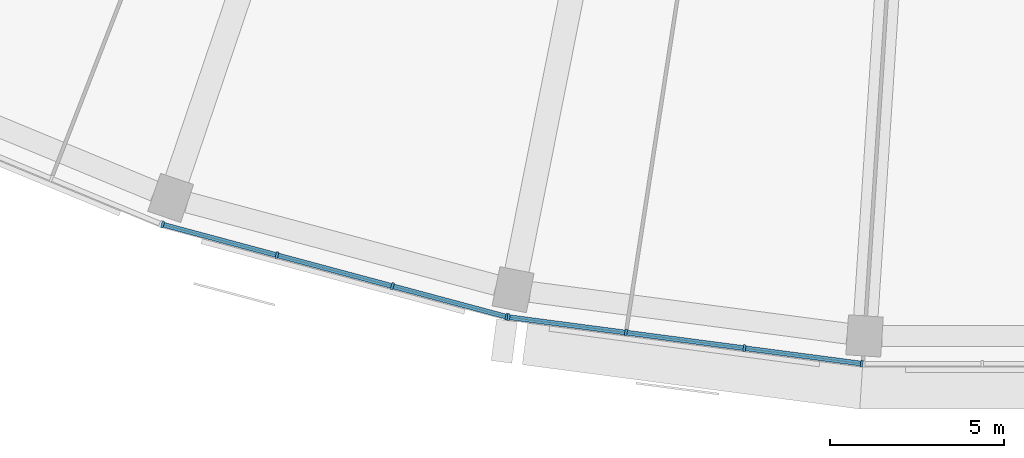
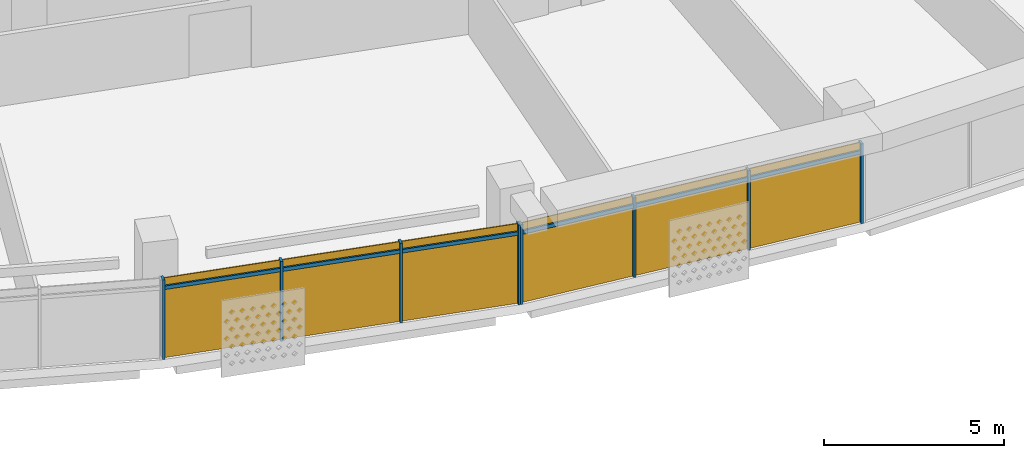
# One storey, part 18 of 29: 14 members, 2 curtain walls.
"""IFC4 building model written with IfcOpenShell, lengths in metres."""

from ifc_helpers import new_model, si_unit, direction, frame, origin, origin_2d, place, context, subcontext, project, spatial, rectangle, extrude, material, material_profile, profile_set, type_object, element, aggregate, save


model = new_model("IFC4")

# Units and contexts
model_context = context("Model", 3, precision=1e-05, world=origin(), true_north=direction((0.0, 1.0)))
body_context = subcontext(model_context, "Body", "Model", "MODEL_VIEW")
ifc_project = project(units=[si_unit("LENGTHUNIT", "METRE"), si_unit("AREAUNIT", "SQUARE_METRE"), si_unit("VOLUMEUNIT", "CUBIC_METRE"), si_unit("PLANEANGLEUNIT", "RADIAN"), si_unit("MASSUNIT", "GRAM", prefix="KILO")], contexts=[model_context])

# Member
ifc_material = material(Name="Aluminium 6063-T6 anodised", Category="aluminium")
ifc_material_profile_1 = material_profile(ifc_material, rectangle(XDim=0.199951171875, YDim=0.070068359375, at=origin_2d()))
ifc_profile_set_1 = profile_set([ifc_material_profile_1], Name="Aluminium 6063-T6 anodised")
member_type_1 = type_object("IfcMemberType", Name="Mullion 70 x 200 aluminium", PredefinedType="MULLION", material=ifc_profile_set_1)
site_placement = place(None, origin())
building_placement = place(site_placement, origin())
storey_placement = place(building_placement, frame((0.0, 0.0, 207.5)))
member_1_placement = place(storey_placement, frame((-25.221435546875, -74.388427734375, 0.0), z_axis=(0.0, 0.0, 1.0), x_axis=(0.258819045103, 0.965925826289, 0.0)))
member_1 = element("IfcMember", 1, at=member_1_placement, type_object=member_type_1, Name="e-cw1-L49-out06/M00", PredefinedType="MULLION", context=body_context, shape_type="SweptSolid", body=[
    extrude(rectangle(XDim=0.199951171875, YDim=0.070068359375, at=origin_2d()), origin(), (0.0, 0.0, 1.0), 2.699951171875),
])

member_2_placement = place(storey_placement, frame((-21.94287109375, -75.26708984375, 0.0), z_axis=(0.0, 0.0, 1.0), x_axis=(0.258819045103, 0.965925826289, 0.0)))
member_2 = element("IfcMember", 2, at=member_2_placement, type_object=member_type_1, Name="e-cw1-L49-out06/M01", PredefinedType="MULLION", context=body_context, shape_type="SweptSolid", body=[
    extrude(rectangle(XDim=0.199951171875, YDim=0.070068359375, at=origin_2d()), origin(), (0.0, 0.0, 1.0), 2.699951171875),
])

member_3_placement = place(storey_placement, frame((-18.63037109375, -76.154541015625, 0.0), z_axis=(0.0, 0.0, 1.0), x_axis=(0.258819045103, 0.965925826289, 0.0)))
member_3 = element("IfcMember", 3, at=member_3_placement, type_object=member_type_1, Name="e-cw1-L49-out06/M02", PredefinedType="MULLION", context=body_context, shape_type="SweptSolid", body=[
    extrude(rectangle(XDim=0.199951171875, YDim=0.070068359375, at=origin_2d()), origin(), (0.0, 0.0, 1.0), 2.699951171875),
])

member_4_placement = place(storey_placement, frame((-15.351806640625, -77.033203125, 0.0), z_axis=(0.0, 0.0, 1.0), x_axis=(0.258819045103, 0.965925826289, 0.0)))
member_4 = element("IfcMember", 4, at=member_4_placement, type_object=member_type_1, Name="e-cw1-L49-out06/M03", PredefinedType="MULLION", context=body_context, shape_type="SweptSolid", body=[
    extrude(rectangle(XDim=0.199951171875, YDim=0.070068359375, at=origin_2d()), origin(), (0.0, 0.0, 1.0), 2.699951171875),
])

member_5_placement = place(storey_placement, frame((-15.296142578125, -77.044189453125, 0.0), z_axis=(0.0, 0.0, 1.0), x_axis=(0.13052619222, 0.991444861374, 0.0)))
member_5 = element("IfcMember", 5, at=member_5_placement, type_object=member_type_1, Name="e-cw1-L49-out07/M00", PredefinedType="MULLION", context=body_context, shape_type="SweptSolid", body=[
    extrude(rectangle(XDim=0.199951171875, YDim=0.070068359375, at=origin_2d()), origin(), (0.0, 0.0, 1.0), 2.699951171875),
])

member_6_placement = place(storey_placement, frame((-11.930908203125, -77.4873046875, 0.0), z_axis=(0.0, 0.0, 1.0), x_axis=(0.13052619222, 0.991444861374, 0.0)))
member_6 = element("IfcMember", 6, at=member_6_placement, type_object=member_type_1, Name="e-cw1-L49-out07/M01", PredefinedType="MULLION", context=body_context, shape_type="SweptSolid", body=[
    extrude(rectangle(XDim=0.199951171875, YDim=0.070068359375, at=origin_2d()), origin(), (0.0, 0.0, 1.0), 2.699951171875),
])

member_7_placement = place(storey_placement, frame((-8.53076171875, -77.934814453125, 0.0), z_axis=(0.0, 0.0, 1.0), x_axis=(0.13052619222, 0.991444861374, 0.0)))
member_7 = element("IfcMember", 7, at=member_7_placement, type_object=member_type_1, Name="e-cw1-L49-out07/M02", PredefinedType="MULLION", context=body_context, shape_type="SweptSolid", body=[
    extrude(rectangle(XDim=0.199951171875, YDim=0.070068359375, at=origin_2d()), origin(), (0.0, 0.0, 1.0), 2.699951171875),
])

member_8_placement = place(storey_placement, frame((-5.16552734375, -78.3779296875, 0.0), z_axis=(0.0, 0.0, 1.0), x_axis=(0.13052619222, 0.991444861374, 0.0)))
member_8 = element("IfcMember", 8, at=member_8_placement, type_object=member_type_1, Name="e-cw1-L49-out07/M03", PredefinedType="MULLION", context=body_context, shape_type="SweptSolid", body=[
    extrude(rectangle(XDim=0.199951171875, YDim=0.070068359375, at=origin_2d()), origin(), (0.0, 0.0, 1.0), 2.699951171875),
])

ifc_material_profile_2 = material_profile(ifc_material, rectangle(XDim=0.139892578125, YDim=0.1201171875, at=origin_2d()))
ifc_profile_set_2 = profile_set([ifc_material_profile_2], Name="Aluminium 6063-T6 anodised")
member_type_2 = type_object("IfcMemberType", Name="Transom 120 x 140 aluminium", PredefinedType="USERDEFINED", material=ifc_profile_set_2)
member_9_placement = place(storey_placement, frame((-25.187744140625, -74.3974609375, 2.39990234375), z_axis=(0.965908708139, -0.25888292246, 0.0), x_axis=(0.25888292246, 0.965908708139, 0.0)))
member_9 = element("IfcMember", 9, at=member_9_placement, type_object=member_type_2, Name="e-cw1-L49-out06/T00", ObjectType="TRANSOM", PredefinedType="USERDEFINED", context=body_context, shape_type="SweptSolid", body=[
    extrude(rectangle(XDim=0.139892578125, YDim=0.1201171875, at=origin_2d()), origin(), (0.0, 0.0, 1.0), 3.32421875),
])

member_10_placement = place(storey_placement, frame((-21.9091796875, -75.276123046875, 2.39990234375), z_axis=(0.965931507774, -0.258797840582, 0.0), x_axis=(0.258797840582, 0.965931507774, 0.0)))
member_10 = element("IfcMember", 10, at=member_10_placement, type_object=member_type_2, Name="e-cw1-L49-out06/T01", ObjectType="TRANSOM", PredefinedType="USERDEFINED", context=body_context, shape_type="SweptSolid", body=[
    extrude(rectangle(XDim=0.139892578125, YDim=0.1201171875, at=origin_2d()), origin(), (0.0, 0.0, 1.0), 3.359375),
])

member_11_placement = place(storey_placement, frame((-18.5966796875, -76.16357421875, 2.39990234375), z_axis=(0.965913629723, -0.258864559019, 0.0), x_axis=(0.258864559019, 0.965913629723, 0.0)))
member_11 = element("IfcMember", 11, at=member_11_placement, type_object=member_type_2, Name="e-cw1-L49-out06/T02", ObjectType="TRANSOM", PredefinedType="USERDEFINED", context=body_context, shape_type="SweptSolid", body=[
    extrude(rectangle(XDim=0.139892578125, YDim=0.1201171875, at=origin_2d()), origin(), (0.0, 0.0, 1.0), 3.324462890625),
])

member_12_placement = place(storey_placement, frame((-15.261474609375, -77.048828125, 2.39990234375), z_axis=(0.991447795146, -0.130503906072, 0.0), x_axis=(0.130503906072, 0.991447795146, 0.0)))
member_12 = element("IfcMember", 12, at=member_12_placement, type_object=member_type_2, Name="e-cw1-L49-out07/T00", ObjectType="TRANSOM", PredefinedType="USERDEFINED", context=body_context, shape_type="SweptSolid", body=[
    extrude(rectangle(XDim=0.139892578125, YDim=0.1201171875, at=origin_2d()), origin(), (0.0, 0.0, 1.0), 3.32421875),
])

member_13_placement = place(storey_placement, frame((-11.896240234375, -77.49169921875, 2.39990234375), z_axis=(0.991444893088, -0.130525951326, 0.0), x_axis=(0.130525951326, 0.991444893088, 0.0)))
member_13 = element("IfcMember", 13, at=member_13_placement, type_object=member_type_2, Name="e-cw1-L49-out07/T01", ObjectType="TRANSOM", PredefinedType="USERDEFINED", context=body_context, shape_type="SweptSolid", body=[
    extrude(rectangle(XDim=0.139892578125, YDim=0.1201171875, at=origin_2d()), origin(), (0.0, 0.0, 1.0), 3.359375),
])

member_14_placement = place(storey_placement, frame((-8.49609375, -77.939453125, 2.39990234375), z_axis=(0.991447795146, -0.130503906072, 0.0), x_axis=(0.130503906072, 0.991447795146, 0.0)))
member_14 = element("IfcMember", 14, at=member_14_placement, type_object=member_type_2, Name="e-cw1-L49-out07/T02", ObjectType="TRANSOM", PredefinedType="USERDEFINED", context=body_context, shape_type="SweptSolid", body=[
    extrude(rectangle(XDim=0.139892578125, YDim=0.1201171875, at=origin_2d()), origin(), (0.0, 0.0, 1.0), 3.32421875),
])

# Site, building, storey
site = spatial("IfcSite", under=ifc_project, at=site_placement, CompositionType="ELEMENT")
building = spatial("IfcBuilding", under=site, at=building_placement, Name="Qamariyya Broadcast Tower", CompositionType="ELEMENT")
storey = spatial("IfcBuildingStorey", under=building, at=storey_placement, Name="L49", CompositionType="ELEMENT", Elevation=207.5)

# Curtain wall
curtain_wall_type = type_object("IfcCurtainWallType", Name="Unitised curtain wall, anodised aluminium", PredefinedType="NOTDEFINED", material=ifc_material)
curtain_wall_1_placement = place(storey_placement, origin())
curtain_wall_1 = element("IfcCurtainWall", 15, at=curtain_wall_1_placement, inside=storey, type_object=curtain_wall_type, Name="e-cw1-L49-out06", PredefinedType="NOTDEFINED", context=body_context, shape_type="SweptSolid", body=[
    extrude(rectangle(XDim=3.324462890625, YDim=0.031982421875, at=origin_2d()), frame((-23.582275390625, -74.82763671875, 0.0), x_axis=(0.965923476514, -0.258827814424, 0.0)), (0.0, 0.0, 1.0), 2.340087890625),
    extrude(rectangle(XDim=3.324462890625, YDim=0.031982421875, at=origin_2d()), frame((-23.582275390625, -74.82763671875, 2.4599609375), x_axis=(0.965923476514, -0.258827814424, 0.0)), (0.0, 0.0, 1.0), 0.239990234375),
    extrude(rectangle(XDim=3.359375, YDim=0.031982421875, at=origin_2d()), frame((-20.28662109375, -75.7109375, 0.0), x_axis=(0.965923476514, -0.258827814424, 0.0)), (0.0, 0.0, 1.0), 2.340087890625),
    extrude(rectangle(XDim=3.359375, YDim=0.031982421875, at=origin_2d()), frame((-20.28662109375, -75.7109375, 2.4599609375), x_axis=(0.965923476514, -0.258827814424, 0.0)), (0.0, 0.0, 1.0), 0.239990234375),
    extrude(rectangle(XDim=3.324462890625, YDim=0.031982421875, at=origin_2d()), frame((-16.990966796875, -76.593994140625, 0.0), x_axis=(0.965923476514, -0.258827814424, 0.0)), (0.0, 0.0, 1.0), 2.340087890625),
    extrude(rectangle(XDim=3.324462890625, YDim=0.031982421875, at=origin_2d()), frame((-16.990966796875, -76.593994140625, 2.4599609375), x_axis=(0.965923476514, -0.258827814424, 0.0)), (0.0, 0.0, 1.0), 0.239990234375),
])

aggregate(curtain_wall_1, [member_1, member_2, member_3, member_4, member_9, member_10, member_11])

curtain_wall_2_placement = place(storey_placement, origin())
curtain_wall_2 = element("IfcCurtainWall", 16, at=curtain_wall_2_placement, inside=storey, type_object=curtain_wall_type, Name="e-cw1-L49-out07", PredefinedType="NOTDEFINED", context=body_context, shape_type="SweptSolid", body=[
    extrude(rectangle(XDim=3.32421875, YDim=0.031982421875, at=origin_2d()), frame((-13.613525390625, -77.265625, 0.0), x_axis=(0.991442741341, -0.130542294457, 0.0)), (0.0, 0.0, 1.0), 2.340087890625),
    extrude(rectangle(XDim=3.32421875, YDim=0.031982421875, at=origin_2d()), frame((-13.613525390625, -77.265625, 2.4599609375), x_axis=(0.991442741341, -0.130542294457, 0.0)), (0.0, 0.0, 1.0), 0.239990234375),
    extrude(rectangle(XDim=3.359375, YDim=0.031982421875, at=origin_2d()), frame((-10.23095703125, -77.7109375, 0.0), x_axis=(0.991442741341, -0.130542294457, 0.0)), (0.0, 0.0, 1.0), 2.340087890625),
    extrude(rectangle(XDim=3.359375, YDim=0.031982421875, at=origin_2d()), frame((-10.23095703125, -77.7109375, 2.4599609375), x_axis=(0.991442741341, -0.130542294457, 0.0)), (0.0, 0.0, 1.0), 0.239990234375),
    extrude(rectangle(XDim=3.32421875, YDim=0.031982421875, at=origin_2d()), frame((-6.84814453125, -78.156494140625, 0.0), x_axis=(0.991442741341, -0.130542294457, 0.0)), (0.0, 0.0, 1.0), 2.340087890625),
    extrude(rectangle(XDim=3.32421875, YDim=0.031982421875, at=origin_2d()), frame((-6.84814453125, -78.156494140625, 2.4599609375), x_axis=(0.991442741341, -0.130542294457, 0.0)), (0.0, 0.0, 1.0), 0.239990234375),
])

aggregate(curtain_wall_2, [member_5, member_6, member_7, member_8, member_12, member_13, member_14])

save(model, "model.ifc")
